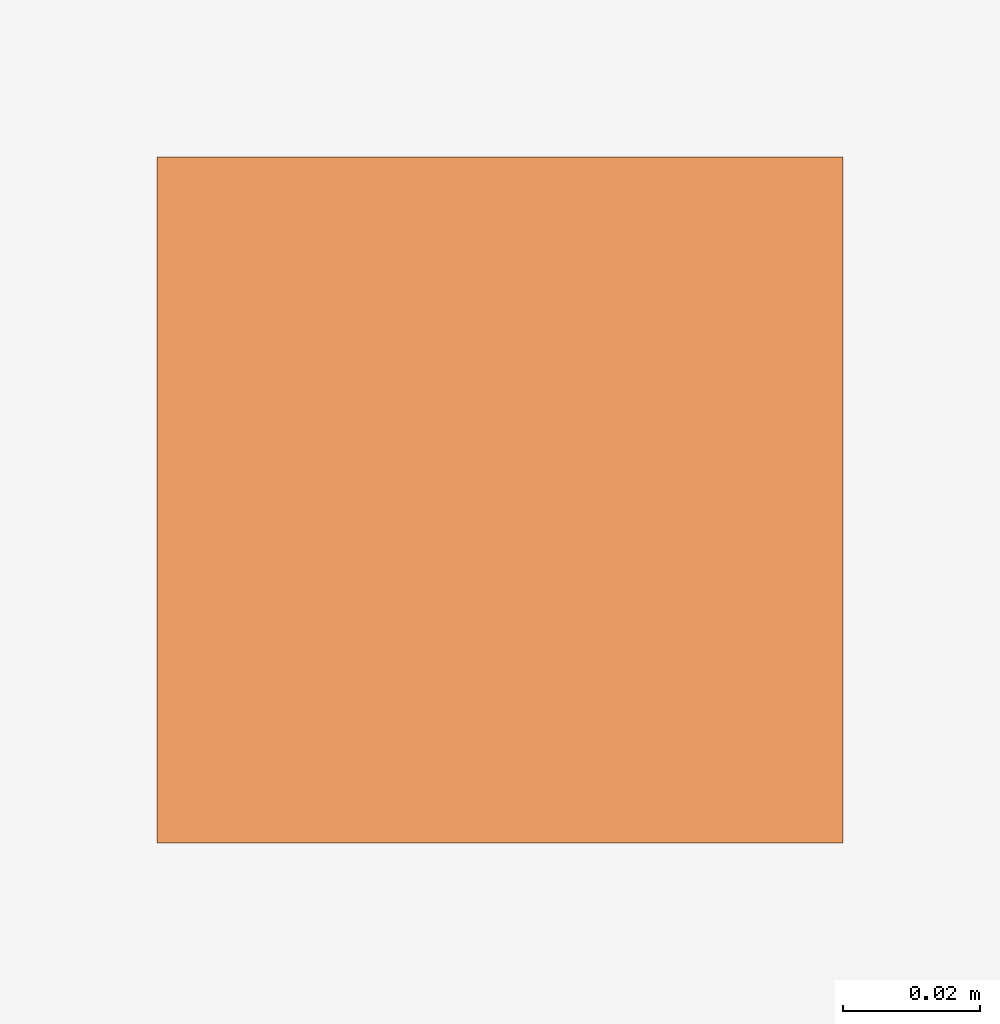
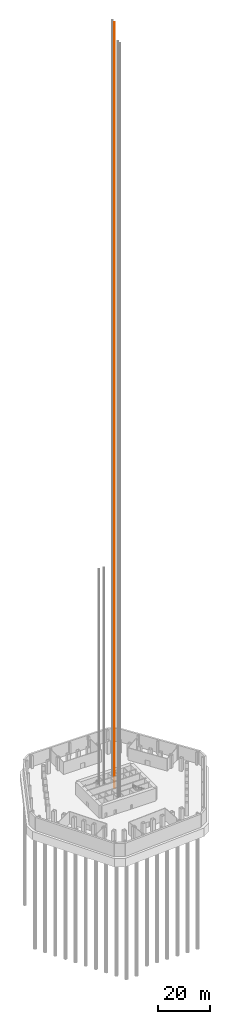
# One storey, part 11 of 12: 1 proxy.
"""IFC4 building model written with IfcOpenShell, lengths in metres."""

from ifc_helpers import new_model, si_unit, direction, frame, origin, origin_2d, place, context, subcontext, project, spatial, rectangle, extrude, material, type_object, element, save


model = new_model("IFC4")

# Units and contexts
model_context = context("Model", 3, precision=1e-05, world=origin(), true_north=direction((0.0, 1.0)))
body_context = subcontext(model_context, "Body", "Model", "MODEL_VIEW")
ifc_project = project(units=[si_unit("LENGTHUNIT", "METRE"), si_unit("AREAUNIT", "SQUARE_METRE"), si_unit("VOLUMEUNIT", "CUBIC_METRE"), si_unit("PLANEANGLEUNIT", "RADIAN"), si_unit("MASSUNIT", "GRAM", prefix="KILO")], contexts=[model_context])

# Site, building, storey
site_placement = place(None, origin())
site = spatial("IfcSite", under=ifc_project, at=site_placement, CompositionType="ELEMENT")
building_placement = place(site_placement, origin())
building = spatial("IfcBuilding", under=site, at=building_placement, Name="Qingtian Harvest Tower", CompositionType="ELEMENT")
storey_placement = place(building_placement, frame((0.0, 0.0, -12.0)))
storey = spatial("IfcBuildingStorey", under=building, at=storey_placement, Name="B2", CompositionType="ELEMENT", Elevation=-12.0)

# Proxy
ifc_material = material(Name="Steel SN490B", Category="steel")
building_element_proxy_type = type_object("IfcBuildingElementProxyType", Name="Lift guide rail LR1", PredefinedType="NOTDEFINED", material=ifc_material)
proxy_placement = place(storey_placement, frame((2.60009765625, 5.85009765625, 0.0), z_axis=(0.0, 0.0, 1.0), x_axis=(1.0, 0.0, 0.0)))
element("IfcBuildingElementProxy", 1, at=proxy_placement, inside=storey, type_object=building_element_proxy_type, Name="Lift FL1 guide rail 1", PredefinedType="NOTDEFINED", context=body_context, shape_type="SweptSolid", body=[
    extrude(rectangle(XDim=0.10009765625, YDim=0.10009765625, at=origin_2d()), origin(), (0.0, 0.0, 1.0), 358.0),
])

save(model, "model.ifc")
